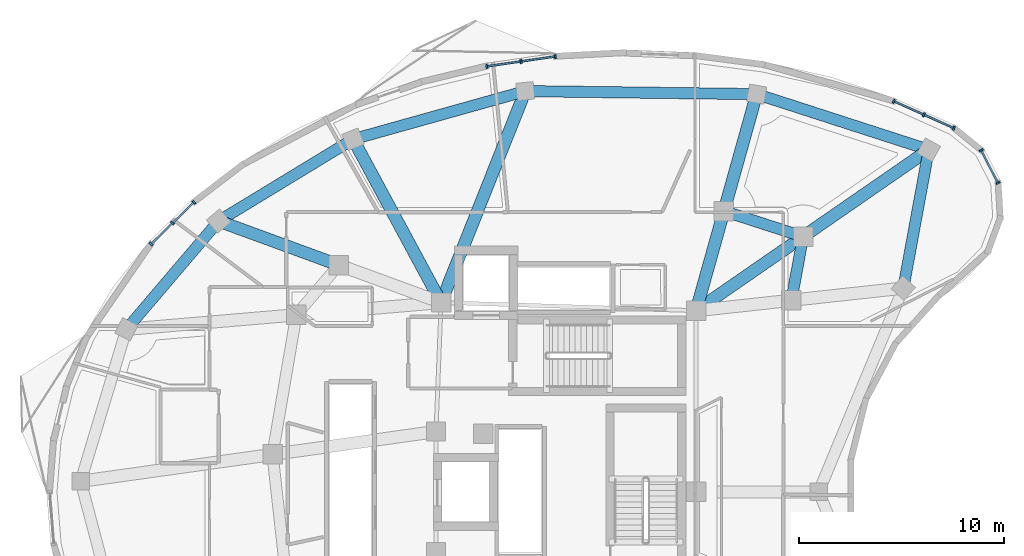
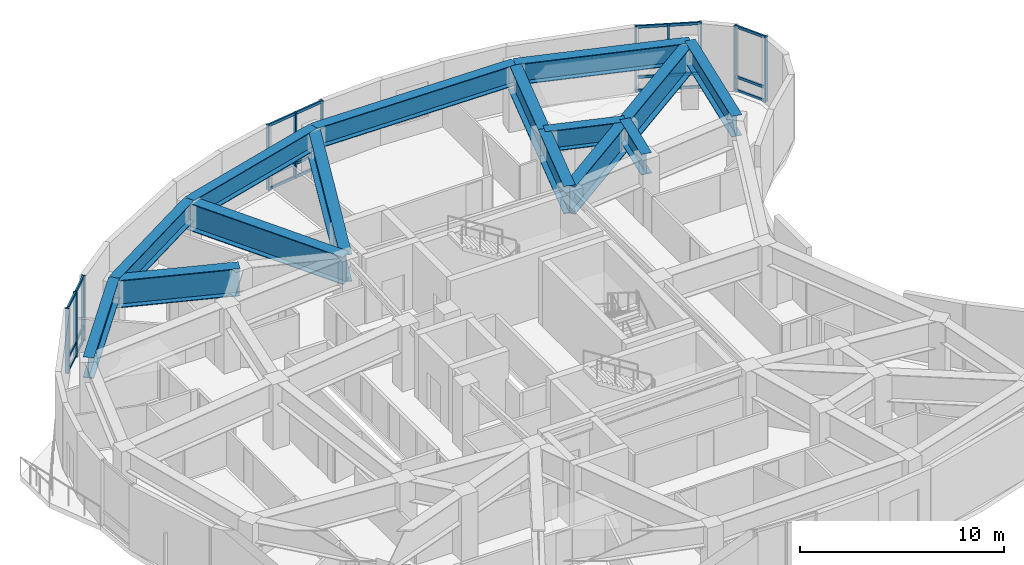
# One storey, part 4 of 13: 32 members, 15 beams, 4 elements without a shape of their own.
"""IFC4 building model written with IfcOpenShell, lengths in metres."""

from ifc_helpers import new_model, si_unit, direction, frame, origin, origin_2d, place, context, subcontext, project, spatial, rectangle, i_section, extrude, material, layer, layer_set, material_profile, profile_set, type_object, element, aggregate, save


model = new_model("IFC4")

# Units and contexts
model_context = context("Model", 3, precision=1e-05, world=origin(), true_north=direction((0.0, 1.0)))
body_context = subcontext(model_context, "Body", "Model", "MODEL_VIEW")
ifc_project = project(units=[si_unit("LENGTHUNIT", "METRE"), si_unit("AREAUNIT", "SQUARE_METRE"), si_unit("VOLUMEUNIT", "CUBIC_METRE"), si_unit("PLANEANGLEUNIT", "RADIAN"), si_unit("MASSUNIT", "GRAM", prefix="KILO")], contexts=[model_context])

# Site, building, storey
site_placement = place(None, origin())
site = spatial("IfcSite", under=ifc_project, at=site_placement, CompositionType="ELEMENT")
building_placement = place(site_placement, origin())
building = spatial("IfcBuilding", under=site, at=building_placement, Name="Korentha Bioscience Tower", CompositionType="ELEMENT")
storey_placement = place(building_placement, frame((0.0, 0.0, 256.199951171875)))
storey = spatial("IfcBuildingStorey", under=building, at=storey_placement, Name="L59", CompositionType="ELEMENT", Elevation=256.199951171875)

# Beams
ifc_material_1 = material(Name="Steel S355", Category="steel")
ifc_material_profile_1 = material_profile(ifc_material_1, i_section(OverallWidth=0.550048828125, OverallDepth=1.25, WebThickness=0.02392578125, FlangeThickness=0.0400390625, at=origin_2d()), Name="Steel S355")
ifc_profile_set_1 = profile_set([ifc_material_profile_1], Name="Steel S355 (TG-03)")
beam_type_1 = type_object("IfcBeamType", Name="Crown Step Transfer Girder CVS 1250x510", PredefinedType="USERDEFINED", material=ifc_profile_set_1)
beam_1_placement = place(storey_placement, frame((42.77685546875, 39.464599609375, 3.275146484375), z_axis=(-0.951528341902, 0.307561074514, 0.0), x_axis=(-0.307561074514, -0.951528341902, 0.0)))
element("IfcBeam", 1, at=beam_1_placement, inside=storey, type_object=beam_type_1, Name="L59 Mid-Ring Tie Girder 01", ObjectType="TRANSFER_GIRDER", PredefinedType="USERDEFINED", context=body_context, shape_type="SweptSolid", body=[
    extrude(i_section(OverallWidth=0.550048828125, OverallDepth=1.25, WebThickness=0.02392578125, FlangeThickness=0.0400390625, at=origin_2d()), origin(), (0.0, 0.0, 1.0), 4.062744140625),
])
beam_2_placement = place(storey_placement, frame((42.205078125, 36.357177734375, 3.275146484375), z_axis=(0.180965758034, 0.983489397207, 0.0), x_axis=(-0.983489397207, 0.180965758034, 0.0)))
element("IfcBeam", 2, at=beam_2_placement, inside=storey, type_object=beam_type_1, Name="L59 Mid-Ring Tie Girder 16", ObjectType="TRANSFER_GIRDER", PredefinedType="USERDEFINED", context=body_context, shape_type="SweptSolid", body=[
    extrude(i_section(OverallWidth=0.550048828125, OverallDepth=1.25, WebThickness=0.02392578125, FlangeThickness=0.0400390625, at=origin_2d()), origin(), (0.0, 0.0, 1.0), 3.15966796875),
])
beam_3_placement = place(storey_placement, frame((48.912841796875, 43.707763671875, 3.275146484375), z_axis=(-0.951540431246, 0.307523670151, 0.0), x_axis=(-0.307523670151, -0.951540431246, 0.0)))
element("IfcBeam", 3, at=beam_3_placement, inside=storey, type_object=beam_type_1, Name="L59 Perimeter Spandrel Girder 01", ObjectType="TRANSFER_GIRDER", PredefinedType="USERDEFINED", context=body_context, shape_type="SweptSolid", body=[
    extrude(i_section(OverallWidth=0.550048828125, OverallDepth=1.25, WebThickness=0.02392578125, FlangeThickness=0.0400390625, at=origin_2d()), origin(), (0.0, 0.0, 1.0), 8.83203125),
])
beam_4_placement = place(storey_placement, frame((40.5087890625, 46.423828125, 3.275146484375), z_axis=(-0.999915413236, 0.013006397415, 0.0), x_axis=(-0.013006397415, -0.999915413236, 0.0)))
element("IfcBeam", 4, at=beam_4_placement, inside=storey, type_object=beam_type_1, Name="L59 Perimeter Spandrel Girder 02", ObjectType="TRANSFER_GIRDER", PredefinedType="USERDEFINED", context=body_context, shape_type="SweptSolid", body=[
    extrude(i_section(OverallWidth=0.550048828125, OverallDepth=1.25, WebThickness=0.02392578125, FlangeThickness=0.0400390625, at=origin_2d()), origin(), (0.0, 0.0, 1.0), 11.300048828125),
])
beam_5_placement = place(storey_placement, frame((29.209716796875, 46.57080078125, 3.275146484375), z_axis=(-0.963069388381, -0.269253325258, 0.0), x_axis=(0.269253325258, -0.963069388381, 0.0)))
element("IfcBeam", 5, at=beam_5_placement, inside=storey, type_object=beam_type_1, Name="L59 Perimeter Spandrel Girder 03", ObjectType="TRANSFER_GIRDER", PredefinedType="USERDEFINED", context=body_context, shape_type="SweptSolid", body=[
    extrude(i_section(OverallWidth=0.550048828125, OverallDepth=1.25, WebThickness=0.02392578125, FlangeThickness=0.0400390625, at=origin_2d()), origin(), (0.0, 0.0, 1.0), 8.72900390625),
])
beam_6_placement = place(storey_placement, frame((20.802978515625, 44.220458984375, 3.275146484375), z_axis=(-0.854346933574, -0.519703104755, 0.0), x_axis=(0.519703104755, -0.854346933574, 0.0)))
element("IfcBeam", 6, at=beam_6_placement, inside=storey, type_object=beam_type_1, Name="L59 Perimeter Spandrel Girder 04", ObjectType="TRANSFER_GIRDER", PredefinedType="USERDEFINED", context=body_context, shape_type="SweptSolid", body=[
    extrude(i_section(OverallWidth=0.550048828125, OverallDepth=1.25, WebThickness=0.02392578125, FlangeThickness=0.0400390625, at=origin_2d()), origin(), (0.0, 0.0, 1.0), 7.687255859375),
])
beam_7_placement = place(storey_placement, frame((14.2353515625, 40.225341796875, 3.275146484375), z_axis=(-0.648430983047, -0.76127344642, 0.0), x_axis=(0.76127344642, -0.648430983047, 0.0)))
element("IfcBeam", 7, at=beam_7_placement, inside=storey, type_object=beam_type_1, Name="L59 Perimeter Spandrel Girder 05", ObjectType="TRANSFER_GIRDER", PredefinedType="USERDEFINED", context=body_context, shape_type="SweptSolid", body=[
    extrude(i_section(OverallWidth=0.550048828125, OverallDepth=1.25, WebThickness=0.02392578125, FlangeThickness=0.0400390625, at=origin_2d()), origin(), (0.0, 0.0, 1.0), 6.94287109375),
])
beam_8_placement = place(storey_placement, frame((47.669921875, 36.95263671875, 3.275146484375), z_axis=(0.180958869982, 0.98349066461, 0.0), x_axis=(-0.98349066461, 0.180958869982, 0.0)))
element("IfcBeam", 8, at=beam_8_placement, inside=storey, type_object=beam_type_1, Name="L59 Perimeter Spandrel Girder 16", ObjectType="TRANSFER_GIRDER", PredefinedType="USERDEFINED", context=body_context, shape_type="SweptSolid", body=[
    extrude(i_section(OverallWidth=0.550048828125, OverallDepth=1.25, WebThickness=0.02392578125, FlangeThickness=0.0400390625, at=origin_2d()), origin(), (0.0, 0.0, 1.0), 6.868408203125),
])
ifc_material_profile_2 = material_profile(ifc_material_1, i_section(OverallWidth=0.60009765625, OverallDepth=1.64990234375, WebThickness=0.02587890625, FlangeThickness=0.0439453125, at=origin_2d()), Name="Steel S355")
ifc_profile_set_2 = profile_set([ifc_material_profile_2], Name="Steel S355 (TG-04)")
beam_type_2 = type_object("IfcBeamType", Name="Deep Setback Transfer Girder CVS 1650x620", PredefinedType="USERDEFINED", material=ifc_profile_set_2)
beam_9_placement = place(storey_placement, frame((37.550048828125, 35.85009765625, 3.074951171875), z_axis=(0.822490816724, 0.568778389537, 0.0), x_axis=(-0.568778389537, 0.822490816724, 0.0)))
element("IfcBeam", 9, at=beam_9_placement, inside=storey, type_object=beam_type_2, Name="L59 Inner Radial Transfer Girder 01", ObjectType="TRANSFER_GIRDER", PredefinedType="USERDEFINED", context=body_context, shape_type="SweptSolid", body=[
    extrude(i_section(OverallWidth=0.60009765625, OverallDepth=1.64990234375, WebThickness=0.02587890625, FlangeThickness=0.0439453125, at=origin_2d()), origin(), (0.0, 0.0, 1.0), 6.354736328125),
])
beam_10_placement = place(storey_placement, frame((42.77685546875, 39.464599609375, 3.074951171875), z_axis=(0.822494853441, 0.568772552135, 0.0), x_axis=(-0.568772552135, 0.822494853441, 0.0)))
element("IfcBeam", 10, at=beam_10_placement, inside=storey, type_object=beam_type_2, Name="L59 Outer Radial Transfer Girder 01", ObjectType="TRANSFER_GIRDER", PredefinedType="USERDEFINED", context=body_context, shape_type="SweptSolid", body=[
    extrude(i_section(OverallWidth=0.60009765625, OverallDepth=1.64990234375, WebThickness=0.02587890625, FlangeThickness=0.0439453125, at=origin_2d()), origin(), (0.0, 0.0, 1.0), 7.460205078125),
])
beam_11_placement = place(storey_placement, frame((37.550048828125, 35.85009765625, 3.074951171875), z_axis=(0.269475733077, 0.963007180286, 0.0), x_axis=(-0.963007180286, 0.269475733077, 0.0)))
element("IfcBeam", 11, at=beam_11_placement, inside=storey, type_object=beam_type_2, Name="L59 Inner Radial Transfer Girder 02", ObjectType="TRANSFER_GIRDER", PredefinedType="USERDEFINED", context=body_context, shape_type="SweptSolid", body=[
    extrude(i_section(OverallWidth=0.60009765625, OverallDepth=1.64990234375, WebThickness=0.02587890625, FlangeThickness=0.0439453125, at=origin_2d()), origin(), (0.0, 0.0, 1.0), 5.05078125),
])
beam_12_placement = place(storey_placement, frame((38.9111328125, 40.714111328125, 3.074951171875), z_axis=(0.269463441067, 0.963010619842, 0.0), x_axis=(-0.963010619842, 0.269463441067, 0.0)))
element("IfcBeam", 12, at=beam_12_placement, inside=storey, type_object=beam_type_2, Name="L59 Outer Radial Transfer Girder 02", ObjectType="TRANSFER_GIRDER", PredefinedType="USERDEFINED", context=body_context, shape_type="SweptSolid", body=[
    extrude(i_section(OverallWidth=0.60009765625, OverallDepth=1.64990234375, WebThickness=0.02587890625, FlangeThickness=0.0439453125, at=origin_2d()), origin(), (0.0, 0.0, 1.0), 5.928955078125),
])
beam_13_placement = place(storey_placement, frame((25.10009765625, 36.25, 3.074951171875), z_axis=(0.369938982304, 0.929056052869, 0.0), x_axis=(-0.929056052869, 0.369938982304, 0.0)))
element("IfcBeam", 13, at=beam_13_placement, inside=storey, type_object=beam_type_2, Name="L59 Radial Transfer Girder 03", ObjectType="TRANSFER_GIRDER", PredefinedType="USERDEFINED", context=body_context, shape_type="SweptSolid", body=[
    extrude(i_section(OverallWidth=0.60009765625, OverallDepth=1.64990234375, WebThickness=0.02587890625, FlangeThickness=0.0439453125, at=origin_2d()), origin(), (0.0, 0.0, 1.0), 11.10888671875),
])
beam_14_placement = place(storey_placement, frame((25.10009765625, 36.25, 3.074951171875), z_axis=(-0.47455638006, 0.88022510879, 0.0), x_axis=(-0.88022510879, -0.47455638006, 0.0)))
element("IfcBeam", 14, at=beam_14_placement, inside=storey, type_object=beam_type_2, Name="L59 Radial Transfer Girder 04", ObjectType="TRANSFER_GIRDER", PredefinedType="USERDEFINED", context=body_context, shape_type="SweptSolid", body=[
    extrude(i_section(OverallWidth=0.60009765625, OverallDepth=1.64990234375, WebThickness=0.02587890625, FlangeThickness=0.0439453125, at=origin_2d()), origin(), (0.0, 0.0, 1.0), 9.054931640625),
])
beam_15_placement = place(storey_placement, frame((20.102294921875, 38.07861328125, 3.074951171875), z_axis=(-0.939108088977, 0.343621881169, 0.0), x_axis=(-0.343621881169, -0.939108088977, 0.0)))
element("IfcBeam", 15, at=beam_15_placement, inside=storey, type_object=beam_type_2, Name="L59 Outer Radial Transfer Girder 05", ObjectType="TRANSFER_GIRDER", PredefinedType="USERDEFINED", context=body_context, shape_type="SweptSolid", body=[
    extrude(i_section(OverallWidth=0.60009765625, OverallDepth=1.64990234375, WebThickness=0.02587890625, FlangeThickness=0.0439453125, at=origin_2d()), origin(), (0.0, 0.0, 1.0), 6.247314453125),
])

# Curtain wall, members
ifc_material_2 = material(Name="Thermally Broken Aluminium Frame", Category="aluminium")
ifc_layer = layer(ifc_material_2, 0.219970703125, Name="Thermally Broken Aluminium Frame")
ifc_layer_set = layer_set([ifc_layer], Name="Thermally Broken Aluminium Frame (CW-T1)")
curtain_wall_type = type_object("IfcCurtainWallType", Name="Standard Bioscience Lab Unitised Curtain Wall CW-T1", PredefinedType="USERDEFINED", material=ifc_layer_set)
curtain_wall_1_placement = place(storey_placement, origin())
curtain_wall_1 = element("IfcCurtainWall", 16, at=curtain_wall_1_placement, inside=storey, type_object=curtain_wall_type, Name="L59 Curtain Wall 01", ObjectType="UNITISED", PredefinedType="USERDEFINED")
ifc_material_3 = material(Name="Anodised Aluminium 6063-T6", Category="aluminium")
ifc_material_profile_3 = material_profile(ifc_material_3, rectangle(XDim=0.090087890625, YDim=0.199951171875, at=origin_2d()), Name="Anodised Aluminium 6063-T6")
ifc_profile_set_3 = profile_set([ifc_material_profile_3], Name="Anodised Aluminium 6063-T6 (CW-MUL)")
member_type_1 = type_object("IfcMemberType", Name="Mullion RECT 90x200", PredefinedType="MULLION", material=ifc_profile_set_3)
member_1_placement = place(storey_placement, frame((50.13916015625, 44.75830078125, 0.0), z_axis=(0.0, 0.0, 1.0), x_axis=(-0.912621774183, 0.408804962405, 0.0)))
member_1 = element("IfcMember", 17, at=member_1_placement, type_object=member_type_1, Name="CW-L59-01 Mullion 1", PredefinedType="MULLION", context=body_context, shape_type="SweptSolid", body=[
    extrude(rectangle(XDim=0.090087890625, YDim=0.199951171875, at=origin_2d()), origin(), (0.0, 0.0, 1.0), 3.900146484375),
])
member_2_placement = place(storey_placement, frame((48.67138671875, 45.415771484375, 0.0), z_axis=(0.0, 0.0, 1.0), x_axis=(-0.912621774183, 0.408804962405, 0.0)))
member_2 = element("IfcMember", 18, at=member_2_placement, type_object=member_type_1, Name="CW-L59-01 Mullion 2", PredefinedType="MULLION", context=body_context, shape_type="SweptSolid", body=[
    extrude(rectangle(XDim=0.090087890625, YDim=0.199951171875, at=origin_2d()), origin(), (0.0, 0.0, 1.0), 3.900146484375),
])
member_3_placement = place(storey_placement, frame((47.203369140625, 46.0732421875, 0.0), z_axis=(0.0, 0.0, 1.0), x_axis=(-0.912621774183, 0.408804962405, 0.0)))
member_3 = element("IfcMember", 19, at=member_3_placement, type_object=member_type_1, Name="CW-L59-01 Mullion 3", PredefinedType="MULLION", context=body_context, shape_type="SweptSolid", body=[
    extrude(rectangle(XDim=0.090087890625, YDim=0.199951171875, at=origin_2d()), origin(), (0.0, 0.0, 1.0), 3.900146484375),
])

curtain_wall_2_placement = place(storey_placement, origin())
curtain_wall_2 = element("IfcCurtainWall", 20, at=curtain_wall_2_placement, inside=storey, type_object=curtain_wall_type, Name="L59 Curtain Wall 07", ObjectType="UNITISED", PredefinedType="USERDEFINED")
member_4_placement = place(storey_placement, frame((30.67919921875, 48.25830078125, 0.0), z_axis=(0.0, 0.0, 1.0), x_axis=(-0.989728990307, -0.142956377076, 0.0)))
member_4 = element("IfcMember", 21, at=member_4_placement, type_object=member_type_1, Name="CW-L59-07 Mullion 1", PredefinedType="MULLION", context=body_context, shape_type="SweptSolid", body=[
    extrude(rectangle(XDim=0.090087890625, YDim=0.199951171875, at=origin_2d()), origin(), (0.0, 0.0, 1.0), 3.900146484375),
])
member_5_placement = place(storey_placement, frame((29.00439453125, 48.016357421875, 0.0), z_axis=(0.0, 0.0, 1.0), x_axis=(-0.989728990307, -0.142956377076, 0.0)))
member_5 = element("IfcMember", 22, at=member_5_placement, type_object=member_type_1, Name="CW-L59-07 Mullion 2", PredefinedType="MULLION", context=body_context, shape_type="SweptSolid", body=[
    extrude(rectangle(XDim=0.090087890625, YDim=0.199951171875, at=origin_2d()), origin(), (0.0, 0.0, 1.0), 3.900146484375),
])
member_6_placement = place(storey_placement, frame((27.329345703125, 47.7744140625, 0.0), z_axis=(0.0, 0.0, 1.0), x_axis=(-0.989728990307, -0.142956377076, 0.0)))
member_6 = element("IfcMember", 23, at=member_6_placement, type_object=member_type_1, Name="CW-L59-07 Mullion 3", PredefinedType="MULLION", context=body_context, shape_type="SweptSolid", body=[
    extrude(rectangle(XDim=0.090087890625, YDim=0.199951171875, at=origin_2d()), origin(), (0.0, 0.0, 1.0), 3.900146484375),
])

curtain_wall_3_placement = place(storey_placement, origin())
curtain_wall_3 = element("IfcCurtainWall", 24, at=curtain_wall_3_placement, inside=storey, type_object=curtain_wall_type, Name="L59 Curtain Wall 13", ObjectType="UNITISED", PredefinedType="USERDEFINED")
member_7_placement = place(storey_placement, frame((13.03125, 41.143310546875, 0.0), z_axis=(0.0, 0.0, 1.0), x_axis=(-0.715993919158, -0.698106516034, 0.0)))
member_7 = element("IfcMember", 25, at=member_7_placement, type_object=member_type_1, Name="CW-L59-13 Mullion 1", PredefinedType="MULLION", context=body_context, shape_type="SweptSolid", body=[
    extrude(rectangle(XDim=0.090087890625, YDim=0.199951171875, at=origin_2d()), origin(), (0.0, 0.0, 1.0), 3.900146484375),
])
member_8_placement = place(storey_placement, frame((11.98486328125, 40.123046875, 0.0), z_axis=(0.0, 0.0, 1.0), x_axis=(-0.715993919158, -0.698106516034, 0.0)))
member_8 = element("IfcMember", 26, at=member_8_placement, type_object=member_type_1, Name="CW-L59-13 Mullion 2", PredefinedType="MULLION", context=body_context, shape_type="SweptSolid", body=[
    extrude(rectangle(XDim=0.090087890625, YDim=0.199951171875, at=origin_2d()), origin(), (0.0, 0.0, 1.0), 3.900146484375),
])
member_9_placement = place(storey_placement, frame((10.938232421875, 39.1025390625, 0.0), z_axis=(0.0, 0.0, 1.0), x_axis=(-0.715993919158, -0.698106516034, 0.0)))
member_9 = element("IfcMember", 27, at=member_9_placement, type_object=member_type_1, Name="CW-L59-13 Mullion 3", PredefinedType="MULLION", context=body_context, shape_type="SweptSolid", body=[
    extrude(rectangle(XDim=0.090087890625, YDim=0.199951171875, at=origin_2d()), origin(), (0.0, 0.0, 1.0), 3.900146484375),
])

curtain_wall_4_placement = place(storey_placement, origin())
curtain_wall_4 = element("IfcCurtainWall", 28, at=curtain_wall_4_placement, inside=storey, type_object=curtain_wall_type, Name="L59 Curtain Wall 61", ObjectType="UNITISED", PredefinedType="USERDEFINED")
member_10_placement = place(storey_placement, frame((52.2958984375, 42.089599609375, 0.0), z_axis=(0.0, 0.0, 1.0), x_axis=(-0.457569503198, 0.889173857996, 0.0)))
member_10 = element("IfcMember", 29, at=member_10_placement, type_object=member_type_1, Name="CW-L59-61 Mullion 1", PredefinedType="MULLION", context=body_context, shape_type="SweptSolid", body=[
    extrude(rectangle(XDim=0.090087890625, YDim=0.199951171875, at=origin_2d()), origin(), (0.0, 0.0, 1.0), 3.900146484375),
])
member_11_placement = place(storey_placement, frame((51.4736328125, 43.6875, 0.0), z_axis=(0.0, 0.0, 1.0), x_axis=(-0.457569503198, 0.889173857996, 0.0)))
member_11 = element("IfcMember", 30, at=member_11_placement, type_object=member_type_1, Name="CW-L59-61 Mullion 2", PredefinedType="MULLION", context=body_context, shape_type="SweptSolid", body=[
    extrude(rectangle(XDim=0.090087890625, YDim=0.199951171875, at=origin_2d()), origin(), (0.0, 0.0, 1.0), 3.900146484375),
])

# Member
ifc_material_profile_4 = material_profile(ifc_material_3, rectangle(XDim=0.090087890625, YDim=0.159912109375, at=origin_2d()), Name="Anodised Aluminium 6063-T6")
ifc_profile_set_4 = profile_set([ifc_material_profile_4], Name="Anodised Aluminium 6063-T6 (CW-TRN)")
member_type_2 = type_object("IfcMemberType", Name="Transom RECT 90x160", PredefinedType="USERDEFINED", material=ifc_profile_set_4)
member_12_placement = place(storey_placement, frame((50.09814453125, 44.776611328125, 0.045166015625), z_axis=(-0.912594152791, 0.408866619194, 0.0), x_axis=(-0.408866619194, -0.912594152791, 0.0)))
member_12 = element("IfcMember", 31, at=member_12_placement, type_object=member_type_2, Name="CW-L59-01 Bay 1 Transom 1", ObjectType="TRANSOM", PredefinedType="USERDEFINED", context=body_context, shape_type="SweptSolid", body=[
    extrude(rectangle(XDim=0.090087890625, YDim=0.159912109375, at=origin_2d()), origin(), (0.0, 0.0, 1.0), 1.5185546875),
])

member_13_placement = place(storey_placement, frame((50.09814453125, 44.776611328125, 0.85009765625), z_axis=(-0.912594152791, 0.408866619194, 0.0), x_axis=(-0.408866619194, -0.912594152791, 0.0)))
member_13 = element("IfcMember", 32, at=member_13_placement, type_object=member_type_2, Name="CW-L59-01 Bay 1 Transom 2", ObjectType="TRANSOM", PredefinedType="USERDEFINED", context=body_context, shape_type="SweptSolid", body=[
    extrude(rectangle(XDim=0.090087890625, YDim=0.159912109375, at=origin_2d()), origin(), (0.0, 0.0, 1.0), 1.5185546875),
])

member_14_placement = place(storey_placement, frame((50.09814453125, 44.776611328125, 3.85498046875), z_axis=(-0.912594152791, 0.408866619194, 0.0), x_axis=(-0.408866619194, -0.912594152791, 0.0)))
member_14 = element("IfcMember", 33, at=member_14_placement, type_object=member_type_2, Name="CW-L59-01 Bay 1 Transom 3", ObjectType="TRANSOM", PredefinedType="USERDEFINED", context=body_context, shape_type="SweptSolid", body=[
    extrude(rectangle(XDim=0.090087890625, YDim=0.159912109375, at=origin_2d()), origin(), (0.0, 0.0, 1.0), 1.5185546875),
])

member_15_placement = place(storey_placement, frame((48.630126953125, 45.43408203125, 0.045166015625), z_axis=(-0.912594152791, 0.408866619194, 0.0), x_axis=(-0.408866619194, -0.912594152791, 0.0)))
member_15 = element("IfcMember", 34, at=member_15_placement, type_object=member_type_2, Name="CW-L59-01 Bay 2 Transom 1", ObjectType="TRANSOM", PredefinedType="USERDEFINED", context=body_context, shape_type="SweptSolid", body=[
    extrude(rectangle(XDim=0.090087890625, YDim=0.159912109375, at=origin_2d()), origin(), (0.0, 0.0, 1.0), 1.5185546875),
])

member_16_placement = place(storey_placement, frame((48.630126953125, 45.43408203125, 0.85009765625), z_axis=(-0.912594152791, 0.408866619194, 0.0), x_axis=(-0.408866619194, -0.912594152791, 0.0)))
member_16 = element("IfcMember", 35, at=member_16_placement, type_object=member_type_2, Name="CW-L59-01 Bay 2 Transom 2", ObjectType="TRANSOM", PredefinedType="USERDEFINED", context=body_context, shape_type="SweptSolid", body=[
    extrude(rectangle(XDim=0.090087890625, YDim=0.159912109375, at=origin_2d()), origin(), (0.0, 0.0, 1.0), 1.5185546875),
])

member_17_placement = place(storey_placement, frame((48.630126953125, 45.43408203125, 3.85498046875), z_axis=(-0.912594152791, 0.408866619194, 0.0), x_axis=(-0.408866619194, -0.912594152791, 0.0)))
member_17 = element("IfcMember", 36, at=member_17_placement, type_object=member_type_2, Name="CW-L59-01 Bay 2 Transom 3", ObjectType="TRANSOM", PredefinedType="USERDEFINED", context=body_context, shape_type="SweptSolid", body=[
    extrude(rectangle(XDim=0.090087890625, YDim=0.159912109375, at=origin_2d()), origin(), (0.0, 0.0, 1.0), 1.5185546875),
])

aggregate(curtain_wall_1, [member_1, member_2, member_3, member_12, member_13, member_14, member_15, member_16, member_17])

member_18_placement = place(storey_placement, frame((30.634521484375, 48.251708984375, 0.045166015625), z_axis=(-0.989731950051, -0.142935884395, 0.0), x_axis=(0.142935884395, -0.989731950051, 0.0)))
member_18 = element("IfcMember", 37, at=member_18_placement, type_object=member_type_2, Name="CW-L59-07 Bay 1 Transom 1", ObjectType="TRANSOM", PredefinedType="USERDEFINED", context=body_context, shape_type="SweptSolid", body=[
    extrude(rectangle(XDim=0.090087890625, YDim=0.159912109375, at=origin_2d()), origin(), (0.0, 0.0, 1.0), 1.60205078125),
])

member_19_placement = place(storey_placement, frame((30.634521484375, 48.251708984375, 0.85009765625), z_axis=(-0.989731950051, -0.142935884395, 0.0), x_axis=(0.142935884395, -0.989731950051, 0.0)))
member_19 = element("IfcMember", 38, at=member_19_placement, type_object=member_type_2, Name="CW-L59-07 Bay 1 Transom 2", ObjectType="TRANSOM", PredefinedType="USERDEFINED", context=body_context, shape_type="SweptSolid", body=[
    extrude(rectangle(XDim=0.090087890625, YDim=0.159912109375, at=origin_2d()), origin(), (0.0, 0.0, 1.0), 1.60205078125),
])

member_20_placement = place(storey_placement, frame((30.634521484375, 48.251708984375, 3.85498046875), z_axis=(-0.989731950051, -0.142935884395, 0.0), x_axis=(0.142935884395, -0.989731950051, 0.0)))
member_20 = element("IfcMember", 39, at=member_20_placement, type_object=member_type_2, Name="CW-L59-07 Bay 1 Transom 3", ObjectType="TRANSOM", PredefinedType="USERDEFINED", context=body_context, shape_type="SweptSolid", body=[
    extrude(rectangle(XDim=0.090087890625, YDim=0.159912109375, at=origin_2d()), origin(), (0.0, 0.0, 1.0), 1.60205078125),
])

member_21_placement = place(storey_placement, frame((28.959716796875, 48.010009765625, 0.045166015625), z_axis=(-0.989731950051, -0.142935884395, 0.0), x_axis=(0.142935884395, -0.989731950051, 0.0)))
member_21 = element("IfcMember", 40, at=member_21_placement, type_object=member_type_2, Name="CW-L59-07 Bay 2 Transom 1", ObjectType="TRANSOM", PredefinedType="USERDEFINED", context=body_context, shape_type="SweptSolid", body=[
    extrude(rectangle(XDim=0.090087890625, YDim=0.159912109375, at=origin_2d()), origin(), (0.0, 0.0, 1.0), 1.60205078125),
])

member_22_placement = place(storey_placement, frame((28.959716796875, 48.010009765625, 0.85009765625), z_axis=(-0.989731950051, -0.142935884395, 0.0), x_axis=(0.142935884395, -0.989731950051, 0.0)))
member_22 = element("IfcMember", 41, at=member_22_placement, type_object=member_type_2, Name="CW-L59-07 Bay 2 Transom 2", ObjectType="TRANSOM", PredefinedType="USERDEFINED", context=body_context, shape_type="SweptSolid", body=[
    extrude(rectangle(XDim=0.090087890625, YDim=0.159912109375, at=origin_2d()), origin(), (0.0, 0.0, 1.0), 1.60205078125),
])

member_23_placement = place(storey_placement, frame((28.959716796875, 48.010009765625, 3.85498046875), z_axis=(-0.989731950051, -0.142935884395, 0.0), x_axis=(0.142935884395, -0.989731950051, 0.0)))
member_23 = element("IfcMember", 42, at=member_23_placement, type_object=member_type_2, Name="CW-L59-07 Bay 2 Transom 3", ObjectType="TRANSOM", PredefinedType="USERDEFINED", context=body_context, shape_type="SweptSolid", body=[
    extrude(rectangle(XDim=0.090087890625, YDim=0.159912109375, at=origin_2d()), origin(), (0.0, 0.0, 1.0), 1.60205078125),
])

aggregate(curtain_wall_2, [member_4, member_5, member_6, member_18, member_19, member_20, member_21, member_22, member_23])

member_24_placement = place(storey_placement, frame((12.9990234375, 41.112060546875, 0.045166015625), z_axis=(-0.71586223021, -0.698241553733, 0.0), x_axis=(0.698241553733, -0.71586223021, 0.0)))
member_24 = element("IfcMember", 43, at=member_24_placement, type_object=member_type_2, Name="CW-L59-13 Bay 1 Transom 1", ObjectType="TRANSOM", PredefinedType="USERDEFINED", context=body_context, shape_type="SweptSolid", body=[
    extrude(rectangle(XDim=0.090087890625, YDim=0.159912109375, at=origin_2d()), origin(), (0.0, 0.0, 1.0), 1.37158203125),
])

member_25_placement = place(storey_placement, frame((12.9990234375, 41.112060546875, 0.85009765625), z_axis=(-0.71586223021, -0.698241553733, 0.0), x_axis=(0.698241553733, -0.71586223021, 0.0)))
member_25 = element("IfcMember", 44, at=member_25_placement, type_object=member_type_2, Name="CW-L59-13 Bay 1 Transom 2", ObjectType="TRANSOM", PredefinedType="USERDEFINED", context=body_context, shape_type="SweptSolid", body=[
    extrude(rectangle(XDim=0.090087890625, YDim=0.159912109375, at=origin_2d()), origin(), (0.0, 0.0, 1.0), 1.37158203125),
])

member_26_placement = place(storey_placement, frame((12.9990234375, 41.112060546875, 3.85498046875), z_axis=(-0.71586223021, -0.698241553733, 0.0), x_axis=(0.698241553733, -0.71586223021, 0.0)))
member_26 = element("IfcMember", 45, at=member_26_placement, type_object=member_type_2, Name="CW-L59-13 Bay 1 Transom 3", ObjectType="TRANSOM", PredefinedType="USERDEFINED", context=body_context, shape_type="SweptSolid", body=[
    extrude(rectangle(XDim=0.090087890625, YDim=0.159912109375, at=origin_2d()), origin(), (0.0, 0.0, 1.0), 1.37158203125),
])

member_27_placement = place(storey_placement, frame((11.952392578125, 40.091552734375, 0.045166015625), z_axis=(-0.715951201139, -0.698150325924, 0.0), x_axis=(0.698150325924, -0.715951201139, 0.0)))
member_27 = element("IfcMember", 46, at=member_27_placement, type_object=member_type_2, Name="CW-L59-13 Bay 2 Transom 1", ObjectType="TRANSOM", PredefinedType="USERDEFINED", context=body_context, shape_type="SweptSolid", body=[
    extrude(rectangle(XDim=0.090087890625, YDim=0.159912109375, at=origin_2d()), origin(), (0.0, 0.0, 1.0), 1.37158203125),
])

member_28_placement = place(storey_placement, frame((11.952392578125, 40.091552734375, 0.85009765625), z_axis=(-0.715951201139, -0.698150325924, 0.0), x_axis=(0.698150325924, -0.715951201139, 0.0)))
member_28 = element("IfcMember", 47, at=member_28_placement, type_object=member_type_2, Name="CW-L59-13 Bay 2 Transom 2", ObjectType="TRANSOM", PredefinedType="USERDEFINED", context=body_context, shape_type="SweptSolid", body=[
    extrude(rectangle(XDim=0.090087890625, YDim=0.159912109375, at=origin_2d()), origin(), (0.0, 0.0, 1.0), 1.37158203125),
])

member_29_placement = place(storey_placement, frame((11.952392578125, 40.091552734375, 3.85498046875), z_axis=(-0.715951201139, -0.698150325924, 0.0), x_axis=(0.698150325924, -0.715951201139, 0.0)))
member_29 = element("IfcMember", 48, at=member_29_placement, type_object=member_type_2, Name="CW-L59-13 Bay 2 Transom 3", ObjectType="TRANSOM", PredefinedType="USERDEFINED", context=body_context, shape_type="SweptSolid", body=[
    extrude(rectangle(XDim=0.090087890625, YDim=0.159912109375, at=origin_2d()), origin(), (0.0, 0.0, 1.0), 1.37158203125),
])

aggregate(curtain_wall_3, [member_7, member_8, member_9, member_24, member_25, member_26, member_27, member_28, member_29])

member_30_placement = place(storey_placement, frame((52.275390625, 42.129638671875, 0.045166015625), z_axis=(-0.457480490139, 0.889219658545, 0.0), x_axis=(-0.889219658545, -0.457480490139, 0.0)))
member_30 = element("IfcMember", 49, at=member_30_placement, type_object=member_type_2, Name="CW-L59-61 Bay 1 Transom 1", ObjectType="TRANSOM", PredefinedType="USERDEFINED", context=body_context, shape_type="SweptSolid", body=[
    extrude(rectangle(XDim=0.090087890625, YDim=0.159912109375, at=origin_2d()), origin(), (0.0, 0.0, 1.0), 1.707275390625),
])

member_31_placement = place(storey_placement, frame((52.275390625, 42.129638671875, 0.85009765625), z_axis=(-0.457480490139, 0.889219658545, 0.0), x_axis=(-0.889219658545, -0.457480490139, 0.0)))
member_31 = element("IfcMember", 50, at=member_31_placement, type_object=member_type_2, Name="CW-L59-61 Bay 1 Transom 2", ObjectType="TRANSOM", PredefinedType="USERDEFINED", context=body_context, shape_type="SweptSolid", body=[
    extrude(rectangle(XDim=0.090087890625, YDim=0.159912109375, at=origin_2d()), origin(), (0.0, 0.0, 1.0), 1.707275390625),
])

member_32_placement = place(storey_placement, frame((52.275390625, 42.129638671875, 3.85498046875), z_axis=(-0.457480490139, 0.889219658545, 0.0), x_axis=(-0.889219658545, -0.457480490139, 0.0)))
member_32 = element("IfcMember", 51, at=member_32_placement, type_object=member_type_2, Name="CW-L59-61 Bay 1 Transom 3", ObjectType="TRANSOM", PredefinedType="USERDEFINED", context=body_context, shape_type="SweptSolid", body=[
    extrude(rectangle(XDim=0.090087890625, YDim=0.159912109375, at=origin_2d()), origin(), (0.0, 0.0, 1.0), 1.707275390625),
])

aggregate(curtain_wall_4, [member_10, member_11, member_30, member_31, member_32])

save(model, "model.ifc")
